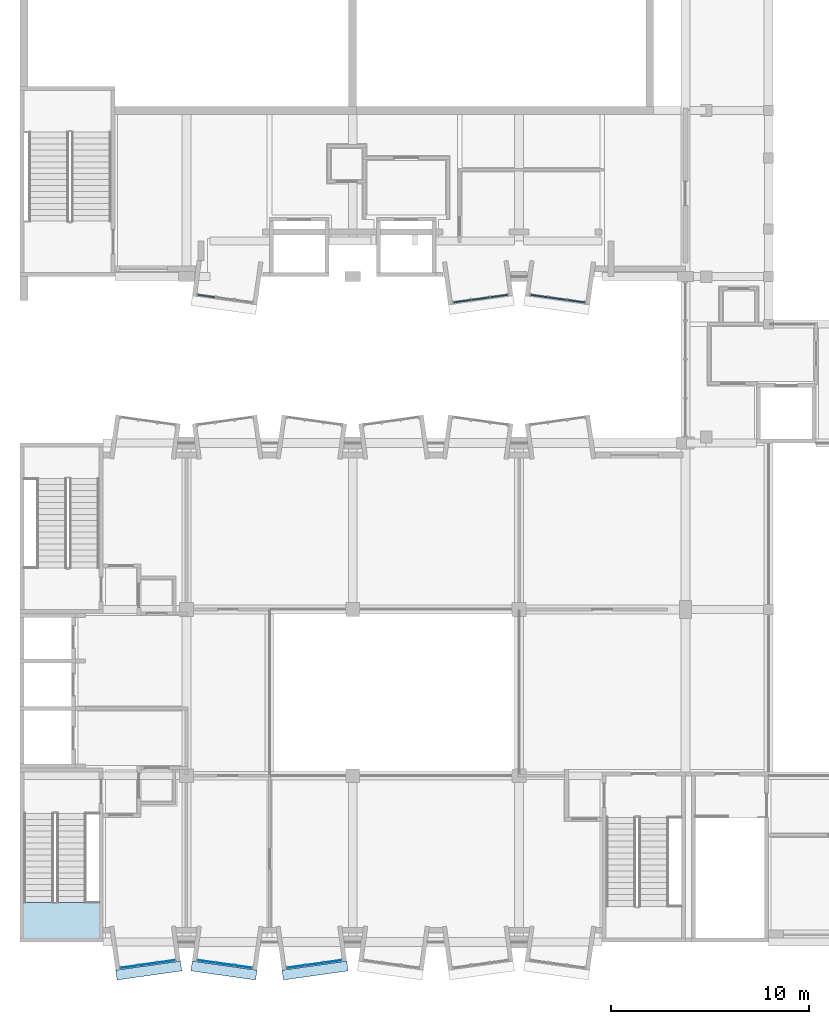
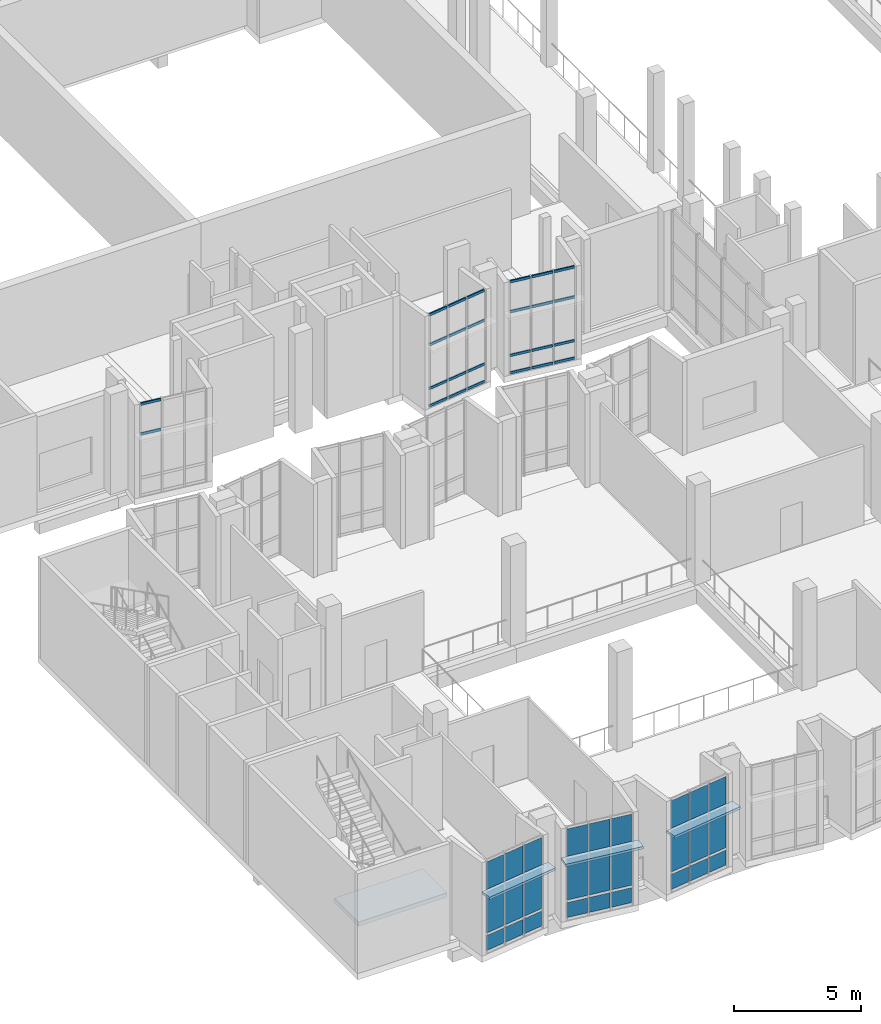
# One storey, part 49 of 100: 30 plates, 26 members, 1 slab, 7 elements without a shape of their own.
"""IFC4 building model written with IfcOpenShell, lengths in metres."""

from ifc_helpers import new_model, si_unit, direction, frame, origin, origin_2d, place, context, subcontext, project, spatial, polyline, rectangle, outline, extrude, material, layer, layer_set, material_profile, profile_set, type_object, element, aggregate, save


model = new_model("IFC4")

# Units and contexts
model_context = context("Model", 3, precision=1e-05, world=origin(), true_north=direction((0.0, 1.0)))
body_context = subcontext(model_context, "Body", "Model", "MODEL_VIEW")
ifc_project = project(units=[si_unit("LENGTHUNIT", "METRE"), si_unit("AREAUNIT", "SQUARE_METRE"), si_unit("VOLUMEUNIT", "CUBIC_METRE"), si_unit("PLANEANGLEUNIT", "RADIAN"), si_unit("MASSUNIT", "GRAM", prefix="KILO")], contexts=[model_context])

# Site, building, storey
site_placement = place(None, origin())
site = spatial("IfcSite", under=ifc_project, at=site_placement, CompositionType="ELEMENT")
building_placement = place(site_placement, origin())
building = spatial("IfcBuilding", under=site, at=building_placement, Name="Kiln Court Media Centre", CompositionType="ELEMENT")
storey_placement = place(building_placement, frame((0.0, 0.0, 15.0)))
storey = spatial("IfcBuildingStorey", under=building, at=storey_placement, Name="L03", CompositionType="ELEMENT", Elevation=15.0)

# Curtain wall, members
ifc_material_1 = material(Name="Aluminium 6063-T6", Category="aluminium")
ifc_layer_1 = layer(ifc_material_1, 0.1201171875)
ifc_layer_set_1 = layer_set([ifc_layer_1], Name="Aluminium unitised bay curtain wall")
curtain_wall_type = type_object("IfcCurtainWallType", Name="Aluminium unitised bay curtain wall", PredefinedType="USERDEFINED", material=ifc_layer_set_1)
curtain_wall_1_placement = place(storey_placement, origin())
curtain_wall_1 = element("IfcCurtainWall", 1, at=curtain_wall_1_placement, inside=storey, type_object=curtain_wall_type, Name="BAY V4-S-L03-17 front", ObjectType="UNITISED CURTAIN WALL", PredefinedType="USERDEFINED")
ifc_material_2 = material(Name="Aluminium 6063-T6", Category="aluminium")
ifc_material_profile = material_profile(ifc_material_2, rectangle(XDim=0.06005859375, YDim=0.1201171875, at=origin_2d()), Name="Aluminium transom 60x120")
ifc_profile_set = profile_set([ifc_material_profile], Name="Aluminium 6063-T6")
member_type = type_object("IfcMemberType", Name="Aluminium transom 60x120", PredefinedType="USERDEFINED", material=ifc_profile_set)
member_1_placement = place(storey_placement, frame((8.982421875, 32.68212890625, 3.0), z_axis=(0.990273563383, -0.139133998951, 0.0), x_axis=(0.139133998951, 0.990273563383, 0.0)))
member_1 = element("IfcMember", 2, at=member_1_placement, type_object=member_type, Name="CW3-01 transom 1.3", ObjectType="TRANSOM", PredefinedType="USERDEFINED", context=body_context, shape_type="SweptSolid", body=[
    extrude(rectangle(XDim=0.06005859375, YDim=0.1201171875, at=origin_2d()), origin(), (0.0, 0.0, 1.0), 0.866943359375),
])
member_2_placement = place(storey_placement, frame((8.982421875, 32.68212890625, 4.43994140625), z_axis=(0.990273563383, -0.139133998951, 0.0), x_axis=(0.139133998951, 0.990273563383, 0.0)))
member_2 = element("IfcMember", 3, at=member_2_placement, type_object=member_type, Name="CW3-01 transom 1.4", ObjectType="TRANSOM", PredefinedType="USERDEFINED", context=body_context, shape_type="SweptSolid", body=[
    extrude(rectangle(XDim=0.06005859375, YDim=0.1201171875, at=origin_2d()), origin(), (0.0, 0.0, 1.0), 0.866943359375),
])
aggregate(curtain_wall_1, [member_1, member_2])

curtain_wall_2_placement = place(storey_placement, origin())
curtain_wall_2 = element("IfcCurtainWall", 4, at=curtain_wall_2_placement, inside=storey, type_object=curtain_wall_type, Name="BAY V4-S-L03-20 front", ObjectType="UNITISED CURTAIN WALL", PredefinedType="USERDEFINED")
member_3_placement = place(storey_placement, frame((21.894287109375, 32.299560546875, 0.06005859375), z_axis=(0.990268108888, 0.139172815303, 0.0), x_axis=(-0.139172815303, 0.990268108888, 0.0)))
member_3 = element("IfcMember", 5, at=member_3_placement, type_object=member_type, Name="CW3-02 transom 1.1", ObjectType="TRANSOM", PredefinedType="USERDEFINED", context=body_context, shape_type="SweptSolid", body=[
    extrude(rectangle(XDim=0.06005859375, YDim=0.1201171875, at=origin_2d()), origin(), (0.0, 0.0, 1.0), 0.86669921875),
])
member_4_placement = place(storey_placement, frame((21.894287109375, 32.299560546875, 0.89990234375), z_axis=(0.990268108888, 0.139172815303, 0.0), x_axis=(-0.139172815303, 0.990268108888, 0.0)))
member_4 = element("IfcMember", 6, at=member_4_placement, type_object=member_type, Name="CW3-02 transom 1.2", ObjectType="TRANSOM", PredefinedType="USERDEFINED", context=body_context, shape_type="SweptSolid", body=[
    extrude(rectangle(XDim=0.06005859375, YDim=0.1201171875, at=origin_2d()), origin(), (0.0, 0.0, 1.0), 0.86669921875),
])
member_5_placement = place(storey_placement, frame((21.894287109375, 32.299560546875, 3.0), z_axis=(0.990268108888, 0.139172815303, 0.0), x_axis=(-0.139172815303, 0.990268108888, 0.0)))
member_5 = element("IfcMember", 7, at=member_5_placement, type_object=member_type, Name="CW3-02 transom 1.3", ObjectType="TRANSOM", PredefinedType="USERDEFINED", context=body_context, shape_type="SweptSolid", body=[
    extrude(rectangle(XDim=0.06005859375, YDim=0.1201171875, at=origin_2d()), origin(), (0.0, 0.0, 1.0), 0.86669921875),
])
member_6_placement = place(storey_placement, frame((21.894287109375, 32.299560546875, 4.43994140625), z_axis=(0.990268108888, 0.139172815303, 0.0), x_axis=(-0.139172815303, 0.990268108888, 0.0)))
member_6 = element("IfcMember", 8, at=member_6_placement, type_object=member_type, Name="CW3-02 transom 1.4", ObjectType="TRANSOM", PredefinedType="USERDEFINED", context=body_context, shape_type="SweptSolid", body=[
    extrude(rectangle(XDim=0.06005859375, YDim=0.1201171875, at=origin_2d()), origin(), (0.0, 0.0, 1.0), 0.86669921875),
])
member_7_placement = place(storey_placement, frame((22.811767578125, 32.428466796875, 0.06005859375), z_axis=(0.990273584723, 0.13913384707, 0.0), x_axis=(-0.13913384707, 0.990273584723, 0.0)))
member_7 = element("IfcMember", 9, at=member_7_placement, type_object=member_type, Name="CW3-02 transom 2.1", ObjectType="TRANSOM", PredefinedType="USERDEFINED", context=body_context, shape_type="SweptSolid", body=[
    extrude(rectangle(XDim=0.06005859375, YDim=0.1201171875, at=origin_2d()), origin(), (0.0, 0.0, 1.0), 0.896728515625),
])
member_8_placement = place(storey_placement, frame((22.811767578125, 32.428466796875, 0.89990234375), z_axis=(0.990273584723, 0.13913384707, 0.0), x_axis=(-0.13913384707, 0.990273584723, 0.0)))
member_8 = element("IfcMember", 10, at=member_8_placement, type_object=member_type, Name="CW3-02 transom 2.2", ObjectType="TRANSOM", PredefinedType="USERDEFINED", context=body_context, shape_type="SweptSolid", body=[
    extrude(rectangle(XDim=0.06005859375, YDim=0.1201171875, at=origin_2d()), origin(), (0.0, 0.0, 1.0), 0.896728515625),
])
member_9_placement = place(storey_placement, frame((22.811767578125, 32.428466796875, 3.0), z_axis=(0.990273584723, 0.13913384707, 0.0), x_axis=(-0.13913384707, 0.990273584723, 0.0)))
member_9 = element("IfcMember", 11, at=member_9_placement, type_object=member_type, Name="CW3-02 transom 2.3", ObjectType="TRANSOM", PredefinedType="USERDEFINED", context=body_context, shape_type="SweptSolid", body=[
    extrude(rectangle(XDim=0.06005859375, YDim=0.1201171875, at=origin_2d()), origin(), (0.0, 0.0, 1.0), 0.896728515625),
])
member_10_placement = place(storey_placement, frame((22.811767578125, 32.428466796875, 4.43994140625), z_axis=(0.990273584723, 0.13913384707, 0.0), x_axis=(-0.13913384707, 0.990273584723, 0.0)))
member_10 = element("IfcMember", 12, at=member_10_placement, type_object=member_type, Name="CW3-02 transom 2.4", ObjectType="TRANSOM", PredefinedType="USERDEFINED", context=body_context, shape_type="SweptSolid", body=[
    extrude(rectangle(XDim=0.06005859375, YDim=0.1201171875, at=origin_2d()), origin(), (0.0, 0.0, 1.0), 0.896728515625),
])
member_11_placement = place(storey_placement, frame((23.75927734375, 32.5615234375, 0.06005859375), z_axis=(0.990268108888, 0.139172815303, 0.0), x_axis=(-0.139172815303, 0.990268108888, 0.0)))
member_11 = element("IfcMember", 13, at=member_11_placement, type_object=member_type, Name="CW3-02 transom 3.1", ObjectType="TRANSOM", PredefinedType="USERDEFINED", context=body_context, shape_type="SweptSolid", body=[
    extrude(rectangle(XDim=0.06005859375, YDim=0.1201171875, at=origin_2d()), origin(), (0.0, 0.0, 1.0), 0.86669921875),
])
member_12_placement = place(storey_placement, frame((23.75927734375, 32.5615234375, 0.89990234375), z_axis=(0.990268108888, 0.139172815303, 0.0), x_axis=(-0.139172815303, 0.990268108888, 0.0)))
member_12 = element("IfcMember", 14, at=member_12_placement, type_object=member_type, Name="CW3-02 transom 3.2", ObjectType="TRANSOM", PredefinedType="USERDEFINED", context=body_context, shape_type="SweptSolid", body=[
    extrude(rectangle(XDim=0.06005859375, YDim=0.1201171875, at=origin_2d()), origin(), (0.0, 0.0, 1.0), 0.86669921875),
])
member_13_placement = place(storey_placement, frame((23.75927734375, 32.5615234375, 3.0), z_axis=(0.990268108888, 0.139172815303, 0.0), x_axis=(-0.139172815303, 0.990268108888, 0.0)))
member_13 = element("IfcMember", 15, at=member_13_placement, type_object=member_type, Name="CW3-02 transom 3.3", ObjectType="TRANSOM", PredefinedType="USERDEFINED", context=body_context, shape_type="SweptSolid", body=[
    extrude(rectangle(XDim=0.06005859375, YDim=0.1201171875, at=origin_2d()), origin(), (0.0, 0.0, 1.0), 0.86669921875),
])
member_14_placement = place(storey_placement, frame((23.75927734375, 32.5615234375, 4.43994140625), z_axis=(0.990268108888, 0.139172815303, 0.0), x_axis=(-0.139172815303, 0.990268108888, 0.0)))
member_14 = element("IfcMember", 16, at=member_14_placement, type_object=member_type, Name="CW3-02 transom 3.4", ObjectType="TRANSOM", PredefinedType="USERDEFINED", context=body_context, shape_type="SweptSolid", body=[
    extrude(rectangle(XDim=0.06005859375, YDim=0.1201171875, at=origin_2d()), origin(), (0.0, 0.0, 1.0), 0.86669921875),
])
aggregate(curtain_wall_2, [member_3, member_4, member_5, member_6, member_7, member_8, member_9, member_10, member_11, member_12, member_13, member_14])

curtain_wall_3_placement = place(storey_placement, origin())
curtain_wall_3 = element("IfcCurtainWall", 17, at=curtain_wall_3_placement, inside=storey, type_object=curtain_wall_type, Name="BAY V4-S-L03-21 front", ObjectType="UNITISED CURTAIN WALL", PredefinedType="USERDEFINED")
member_15_placement = place(storey_placement, frame((25.782470703125, 32.68212890625, 0.06005859375), z_axis=(0.990273563383, -0.139133998951, 0.0), x_axis=(0.139133998951, 0.990273563383, 0.0)))
member_15 = element("IfcMember", 18, at=member_15_placement, type_object=member_type, Name="CW3-03 transom 1.1", ObjectType="TRANSOM", PredefinedType="USERDEFINED", context=body_context, shape_type="SweptSolid", body=[
    extrude(rectangle(XDim=0.06005859375, YDim=0.1201171875, at=origin_2d()), origin(), (0.0, 0.0, 1.0), 0.866943359375),
])
member_16_placement = place(storey_placement, frame((25.782470703125, 32.68212890625, 0.89990234375), z_axis=(0.990273563383, -0.139133998951, 0.0), x_axis=(0.139133998951, 0.990273563383, 0.0)))
member_16 = element("IfcMember", 19, at=member_16_placement, type_object=member_type, Name="CW3-03 transom 1.2", ObjectType="TRANSOM", PredefinedType="USERDEFINED", context=body_context, shape_type="SweptSolid", body=[
    extrude(rectangle(XDim=0.06005859375, YDim=0.1201171875, at=origin_2d()), origin(), (0.0, 0.0, 1.0), 0.866943359375),
])
member_17_placement = place(storey_placement, frame((25.782470703125, 32.68212890625, 3.0), z_axis=(0.990273563383, -0.139133998951, 0.0), x_axis=(0.139133998951, 0.990273563383, 0.0)))
member_17 = element("IfcMember", 20, at=member_17_placement, type_object=member_type, Name="CW3-03 transom 1.3", ObjectType="TRANSOM", PredefinedType="USERDEFINED", context=body_context, shape_type="SweptSolid", body=[
    extrude(rectangle(XDim=0.06005859375, YDim=0.1201171875, at=origin_2d()), origin(), (0.0, 0.0, 1.0), 0.866943359375),
])
member_18_placement = place(storey_placement, frame((25.782470703125, 32.68212890625, 4.43994140625), z_axis=(0.990273563383, -0.139133998951, 0.0), x_axis=(0.139133998951, 0.990273563383, 0.0)))
member_18 = element("IfcMember", 21, at=member_18_placement, type_object=member_type, Name="CW3-03 transom 1.4", ObjectType="TRANSOM", PredefinedType="USERDEFINED", context=body_context, shape_type="SweptSolid", body=[
    extrude(rectangle(XDim=0.06005859375, YDim=0.1201171875, at=origin_2d()), origin(), (0.0, 0.0, 1.0), 0.866943359375),
])
member_19_placement = place(storey_placement, frame((26.7001953125, 32.55322265625, 0.06005859375), z_axis=(0.990273584723, -0.13913384707, 0.0), x_axis=(0.13913384707, 0.990273584723, 0.0)))
member_19 = element("IfcMember", 22, at=member_19_placement, type_object=member_type, Name="CW3-03 transom 2.1", ObjectType="TRANSOM", PredefinedType="USERDEFINED", context=body_context, shape_type="SweptSolid", body=[
    extrude(rectangle(XDim=0.06005859375, YDim=0.1201171875, at=origin_2d()), origin(), (0.0, 0.0, 1.0), 0.896728515625),
])
member_20_placement = place(storey_placement, frame((26.7001953125, 32.55322265625, 0.89990234375), z_axis=(0.990273584723, -0.13913384707, 0.0), x_axis=(0.13913384707, 0.990273584723, 0.0)))
member_20 = element("IfcMember", 23, at=member_20_placement, type_object=member_type, Name="CW3-03 transom 2.2", ObjectType="TRANSOM", PredefinedType="USERDEFINED", context=body_context, shape_type="SweptSolid", body=[
    extrude(rectangle(XDim=0.06005859375, YDim=0.1201171875, at=origin_2d()), origin(), (0.0, 0.0, 1.0), 0.896728515625),
])
member_21_placement = place(storey_placement, frame((26.7001953125, 32.55322265625, 3.0), z_axis=(0.990273584723, -0.13913384707, 0.0), x_axis=(0.13913384707, 0.990273584723, 0.0)))
member_21 = element("IfcMember", 24, at=member_21_placement, type_object=member_type, Name="CW3-03 transom 2.3", ObjectType="TRANSOM", PredefinedType="USERDEFINED", context=body_context, shape_type="SweptSolid", body=[
    extrude(rectangle(XDim=0.06005859375, YDim=0.1201171875, at=origin_2d()), origin(), (0.0, 0.0, 1.0), 0.896728515625),
])
member_22_placement = place(storey_placement, frame((26.7001953125, 32.55322265625, 4.43994140625), z_axis=(0.990273584723, -0.13913384707, 0.0), x_axis=(0.13913384707, 0.990273584723, 0.0)))
member_22 = element("IfcMember", 25, at=member_22_placement, type_object=member_type, Name="CW3-03 transom 2.4", ObjectType="TRANSOM", PredefinedType="USERDEFINED", context=body_context, shape_type="SweptSolid", body=[
    extrude(rectangle(XDim=0.06005859375, YDim=0.1201171875, at=origin_2d()), origin(), (0.0, 0.0, 1.0), 0.896728515625),
])
member_23_placement = place(storey_placement, frame((27.6474609375, 32.420166015625, 0.06005859375), z_axis=(0.990273563383, -0.139133998951, 0.0), x_axis=(0.139133998951, 0.990273563383, 0.0)))
member_23 = element("IfcMember", 26, at=member_23_placement, type_object=member_type, Name="CW3-03 transom 3.1", ObjectType="TRANSOM", PredefinedType="USERDEFINED", context=body_context, shape_type="SweptSolid", body=[
    extrude(rectangle(XDim=0.06005859375, YDim=0.1201171875, at=origin_2d()), origin(), (0.0, 0.0, 1.0), 0.866943359375),
])
member_24_placement = place(storey_placement, frame((27.6474609375, 32.420166015625, 0.89990234375), z_axis=(0.990273563383, -0.139133998951, 0.0), x_axis=(0.139133998951, 0.990273563383, 0.0)))
member_24 = element("IfcMember", 27, at=member_24_placement, type_object=member_type, Name="CW3-03 transom 3.2", ObjectType="TRANSOM", PredefinedType="USERDEFINED", context=body_context, shape_type="SweptSolid", body=[
    extrude(rectangle(XDim=0.06005859375, YDim=0.1201171875, at=origin_2d()), origin(), (0.0, 0.0, 1.0), 0.866943359375),
])
member_25_placement = place(storey_placement, frame((27.6474609375, 32.420166015625, 3.0), z_axis=(0.990273563383, -0.139133998951, 0.0), x_axis=(0.139133998951, 0.990273563383, 0.0)))
member_25 = element("IfcMember", 28, at=member_25_placement, type_object=member_type, Name="CW3-03 transom 3.3", ObjectType="TRANSOM", PredefinedType="USERDEFINED", context=body_context, shape_type="SweptSolid", body=[
    extrude(rectangle(XDim=0.06005859375, YDim=0.1201171875, at=origin_2d()), origin(), (0.0, 0.0, 1.0), 0.866943359375),
])
member_26_placement = place(storey_placement, frame((27.6474609375, 32.420166015625, 4.43994140625), z_axis=(0.990273563383, -0.139133998951, 0.0), x_axis=(0.139133998951, 0.990273563383, 0.0)))
member_26 = element("IfcMember", 29, at=member_26_placement, type_object=member_type, Name="CW3-03 transom 3.4", ObjectType="TRANSOM", PredefinedType="USERDEFINED", context=body_context, shape_type="SweptSolid", body=[
    extrude(rectangle(XDim=0.06005859375, YDim=0.1201171875, at=origin_2d()), origin(), (0.0, 0.0, 1.0), 0.866943359375),
])
aggregate(curtain_wall_3, [member_15, member_16, member_17, member_18, member_19, member_20, member_21, member_22, member_23, member_24, member_25, member_26])

# Plates
ifc_material_3 = material(Name="Concrete C30/37", Category="concrete")
ifc_layer_2 = layer(ifc_material_3, 0.1201171875)
ifc_layer_set_2 = layer_set([ifc_layer_2], Name="Concrete C30/37 sunshade hood 120")
plate_type_1 = type_object("IfcPlateType", Name="Concrete C30/37 sunshade hood 120", PredefinedType="USERDEFINED", material=ifc_layer_set_2)
plate_1_placement = place(storey_placement, frame((0.0, 0.0, 3.0)))
element("IfcPlate", 30, at=plate_1_placement, inside=storey, type_object=plate_type_1, Name="SUNSHADE V6A-S-L03-17", ObjectType="SUNSHADE", PredefinedType="USERDEFINED", context=body_context, shape_type="SweptSolid", body=[
    extrude(outline(polyline([(4.8330078125, -1.41796875), (8.10107421875, -0.958740234375), (8.17041015625, -1.453857421875), (4.902587890625, -1.9130859375), (4.8330078125, -1.41796875)])), origin(), (0.0, 0.0, 1.0), 0.1201171875),
])
plate_2_placement = place(storey_placement, frame((0.0, 0.0, 3.0)))
element("IfcPlate", 31, at=plate_2_placement, inside=storey, type_object=plate_type_1, Name="SUNSHADE V6A-S-L03-18", ObjectType="SUNSHADE", PredefinedType="USERDEFINED", context=body_context, shape_type="SweptSolid", body=[
    extrude(outline(polyline([(8.698974609375, -0.958740234375), (11.966796875, -1.41796875), (11.897216796875, -1.9130859375), (8.62939453125, -1.453857421875), (8.698974609375, -0.958740234375)])), origin(), (0.0, 0.0, 1.0), 0.1201171875),
])
plate_3_placement = place(storey_placement, frame((0.0, 0.0, 3.0)))
element("IfcPlate", 32, at=plate_3_placement, inside=storey, type_object=plate_type_1, Name="SUNSHADE V6A-S-L03-19", ObjectType="SUNSHADE", PredefinedType="USERDEFINED", context=body_context, shape_type="SweptSolid", body=[
    extrude(outline(polyline([(13.233154296875, -1.41796875), (16.5009765625, -0.958740234375), (16.570556640625, -1.453857421875), (13.302734375, -1.9130859375), (13.233154296875, -1.41796875)])), origin(), (0.0, 0.0, 1.0), 0.1201171875),
])

# Stair, slab
ifc_material_4 = material(Name="Concrete C40/50", Category="concrete")
stair_type = type_object("IfcStairType", Name="Concrete C40/50 dog-leg stair 1500 wide, 150 riser", PredefinedType="HALF_TURN_STAIR", material=ifc_material_4)
stair_placement = place(storey_placement, origin())
stair = element("IfcStair", 33, at=stair_placement, inside=storey, type_object=stair_type, Name="ST-01 L03", PredefinedType="HALF_TURN_STAIR")
ifc_material_5 = material(Name="Concrete C40/50", Category="concrete")
ifc_layer_3 = layer(ifc_material_5, 0.199951171875)
ifc_layer_set_3 = layer_set([ifc_layer_3], Name="Concrete C40/50 stair landing 200")
slab_type = type_object("IfcSlabType", Name="Concrete C40/50 stair landing 200", PredefinedType="LANDING", material=ifc_layer_set_3)
slab_placement = place(storey_placement, frame((0.0, 0.0, 2.199951171875)))
slab = element("IfcSlab", 34, at=slab_placement, type_object=slab_type, Name="L03-ST-5000 landing 5000", PredefinedType="LANDING", context=body_context, shape_type="SweptSolid", body=[
    extrude(outline(polyline([(0.080078125, 2.0), (0.080078125, 0.080078125), (4.1201171875, 0.080078125), (4.1201171875, 2.0), (0.080078125, 2.0)])), origin(), (0.0, 0.0, 1.0), 0.199951171875),
])
aggregate(stair, [slab])

# Curtain wall, plates
curtain_wall_4_placement = place(storey_placement, origin())
curtain_wall_4 = element("IfcCurtainWall", 35, at=curtain_wall_4_placement, inside=storey, type_object=curtain_wall_type, Name="BAY V6A-S-L03-17 front", ObjectType="UNITISED CURTAIN WALL", PredefinedType="USERDEFINED")
ifc_material_6 = material(Name="Aluminium insulated spandrel", Category="aluminium")
ifc_layer_4 = layer(ifc_material_6, 0.028076171875)
ifc_layer_set_4 = layer_set([ifc_layer_4], Name="Insulated spandrel panel 28")
plate_type_2 = type_object("IfcPlateType", Name="Insulated spandrel panel 28", PredefinedType="CURTAIN_PANEL", material=ifc_layer_set_4)
plate_4_placement = place(storey_placement, frame((5.5234375, -1.240234375, 0.1201171875), z_axis=(0.0, 0.0, 1.0), x_axis=(0.990269562409, 0.139162472554, 0.0)))
plate_4 = element("IfcPlate", 36, at=plate_4_placement, type_object=plate_type_2, Name="CW3-10 panel 1.1", PredefinedType="CURTAIN_PANEL", context=body_context, shape_type="SweptSolid", body=[
    extrude(rectangle(XDim=0.86669921875, YDim=0.028076171875, at=origin_2d()), origin(), (0.0, 0.0, 1.0), 0.719970703125),
])
plate_5_placement = place(storey_placement, frame((6.455810546875, -1.109130859375, 0.1201171875), z_axis=(0.0, 0.0, 1.0), x_axis=(0.990269562409, 0.139162472554, 0.0)))
plate_5 = element("IfcPlate", 37, at=plate_5_placement, type_object=plate_type_2, Name="CW3-10 panel 2.1", PredefinedType="CURTAIN_PANEL", context=body_context, shape_type="SweptSolid", body=[
    extrude(rectangle(XDim=0.896728515625, YDim=0.028076171875, at=origin_2d()), origin(), (0.0, 0.0, 1.0), 0.719970703125),
])
plate_6_placement = place(storey_placement, frame((7.388427734375, -0.97802734375, 0.1201171875), z_axis=(0.0, 0.0, 1.0), x_axis=(0.990269562409, 0.139162472554, 0.0)))
plate_6 = element("IfcPlate", 38, at=plate_6_placement, type_object=plate_type_2, Name="CW3-10 panel 3.1", PredefinedType="CURTAIN_PANEL", context=body_context, shape_type="SweptSolid", body=[
    extrude(rectangle(XDim=0.86669921875, YDim=0.028076171875, at=origin_2d()), origin(), (0.0, 0.0, 1.0), 0.719970703125),
])

curtain_wall_5_placement = place(storey_placement, origin())
curtain_wall_5 = element("IfcCurtainWall", 39, at=curtain_wall_5_placement, inside=storey, type_object=curtain_wall_type, Name="BAY V6A-S-L03-18 front", ObjectType="UNITISED CURTAIN WALL", PredefinedType="USERDEFINED")
plate_7_placement = place(storey_placement, frame((9.41162109375, -0.97802734375, 0.1201171875), z_axis=(0.0, 0.0, 1.0), x_axis=(0.990269562409, -0.139162472554, 0.0)))
plate_7 = element("IfcPlate", 40, at=plate_7_placement, type_object=plate_type_2, Name="CW3-11 panel 1.1", PredefinedType="CURTAIN_PANEL", context=body_context, shape_type="SweptSolid", body=[
    extrude(rectangle(XDim=0.86669921875, YDim=0.028076171875, at=origin_2d()), origin(), (0.0, 0.0, 1.0), 0.719970703125),
])
plate_8_placement = place(storey_placement, frame((10.34423828125, -1.109130859375, 0.1201171875), z_axis=(0.0, 0.0, 1.0), x_axis=(0.990269562409, -0.139162472554, 0.0)))
plate_8 = element("IfcPlate", 41, at=plate_8_placement, type_object=plate_type_2, Name="CW3-11 panel 2.1", PredefinedType="CURTAIN_PANEL", context=body_context, shape_type="SweptSolid", body=[
    extrude(rectangle(XDim=0.896728515625, YDim=0.028076171875, at=origin_2d()), origin(), (0.0, 0.0, 1.0), 0.719970703125),
])
plate_9_placement = place(storey_placement, frame((11.276611328125, -1.240234375, 0.1201171875), z_axis=(0.0, 0.0, 1.0), x_axis=(0.990269562409, -0.139162472554, 0.0)))
plate_9 = element("IfcPlate", 42, at=plate_9_placement, type_object=plate_type_2, Name="CW3-11 panel 3.1", PredefinedType="CURTAIN_PANEL", context=body_context, shape_type="SweptSolid", body=[
    extrude(rectangle(XDim=0.86669921875, YDim=0.028076171875, at=origin_2d()), origin(), (0.0, 0.0, 1.0), 0.719970703125),
])

curtain_wall_6_placement = place(storey_placement, origin())
curtain_wall_6 = element("IfcCurtainWall", 43, at=curtain_wall_6_placement, inside=storey, type_object=curtain_wall_type, Name="BAY V6A-S-L03-19 front", ObjectType="UNITISED CURTAIN WALL", PredefinedType="USERDEFINED")
plate_10_placement = place(storey_placement, frame((13.92333984375, -1.240234375, 0.1201171875), z_axis=(0.0, 0.0, 1.0), x_axis=(0.990269562409, 0.139162472554, 0.0)))
plate_10 = element("IfcPlate", 44, at=plate_10_placement, type_object=plate_type_2, Name="CW3-12 panel 1.1", PredefinedType="CURTAIN_PANEL", context=body_context, shape_type="SweptSolid", body=[
    extrude(rectangle(XDim=0.86669921875, YDim=0.028076171875, at=origin_2d()), origin(), (0.0, 0.0, 1.0), 0.719970703125),
])
plate_11_placement = place(storey_placement, frame((14.85595703125, -1.109130859375, 0.1201171875), z_axis=(0.0, 0.0, 1.0), x_axis=(0.990269562409, 0.139162472554, 0.0)))
plate_11 = element("IfcPlate", 45, at=plate_11_placement, type_object=plate_type_2, Name="CW3-12 panel 2.1", PredefinedType="CURTAIN_PANEL", context=body_context, shape_type="SweptSolid", body=[
    extrude(rectangle(XDim=0.896728515625, YDim=0.028076171875, at=origin_2d()), origin(), (0.0, 0.0, 1.0), 0.719970703125),
])
plate_12_placement = place(storey_placement, frame((15.788330078125, -0.97802734375, 0.1201171875), z_axis=(0.0, 0.0, 1.0), x_axis=(0.990269562409, 0.139162472554, 0.0)))
plate_12 = element("IfcPlate", 46, at=plate_12_placement, type_object=plate_type_2, Name="CW3-12 panel 3.1", PredefinedType="CURTAIN_PANEL", context=body_context, shape_type="SweptSolid", body=[
    extrude(rectangle(XDim=0.86669921875, YDim=0.028076171875, at=origin_2d()), origin(), (0.0, 0.0, 1.0), 0.719970703125),
])

# Plate
ifc_material_7 = material(Name="Low-E double glazing", Category="glass")
ifc_layer_5 = layer(ifc_material_7, 0.028076171875)
ifc_layer_set_5 = layer_set([ifc_layer_5], Name="Low-E double glazed panel 28")
plate_type_3 = type_object("IfcPlateType", Name="Low-E double glazed panel 28", PredefinedType="CURTAIN_PANEL", material=ifc_layer_set_5)
plate_13_placement = place(storey_placement, frame((5.5234375, -1.240234375, 0.9599609375), z_axis=(0.0, 0.0, 1.0), x_axis=(0.990269562409, 0.139162472554, 0.0)))
plate_13 = element("IfcPlate", 47, at=plate_13_placement, type_object=plate_type_3, Name="CW3-10 panel 1.2", PredefinedType="CURTAIN_PANEL", context=body_context, shape_type="SweptSolid", body=[
    extrude(rectangle(XDim=0.86669921875, YDim=0.028076171875, at=origin_2d()), origin(), (0.0, 0.0, 1.0), 1.97998046875),
])

plate_14_placement = place(storey_placement, frame((5.5234375, -1.240234375, 3.06005859375), z_axis=(0.0, 0.0, 1.0), x_axis=(0.990269562409, 0.139162472554, 0.0)))
plate_14 = element("IfcPlate", 48, at=plate_14_placement, type_object=plate_type_3, Name="CW3-10 panel 1.3", PredefinedType="CURTAIN_PANEL", context=body_context, shape_type="SweptSolid", body=[
    extrude(rectangle(XDim=0.86669921875, YDim=0.028076171875, at=origin_2d()), origin(), (0.0, 0.0, 1.0), 1.320068359375),
])

plate_15_placement = place(storey_placement, frame((6.455810546875, -1.109130859375, 0.9599609375), z_axis=(0.0, 0.0, 1.0), x_axis=(0.990269562409, 0.139162472554, 0.0)))
plate_15 = element("IfcPlate", 49, at=plate_15_placement, type_object=plate_type_3, Name="CW3-10 panel 2.2", PredefinedType="CURTAIN_PANEL", context=body_context, shape_type="SweptSolid", body=[
    extrude(rectangle(XDim=0.896728515625, YDim=0.028076171875, at=origin_2d()), origin(), (0.0, 0.0, 1.0), 1.97998046875),
])

plate_16_placement = place(storey_placement, frame((6.455810546875, -1.109130859375, 3.06005859375), z_axis=(0.0, 0.0, 1.0), x_axis=(0.990269562409, 0.139162472554, 0.0)))
plate_16 = element("IfcPlate", 50, at=plate_16_placement, type_object=plate_type_3, Name="CW3-10 panel 2.3", PredefinedType="CURTAIN_PANEL", context=body_context, shape_type="SweptSolid", body=[
    extrude(rectangle(XDim=0.896728515625, YDim=0.028076171875, at=origin_2d()), origin(), (0.0, 0.0, 1.0), 1.320068359375),
])

plate_17_placement = place(storey_placement, frame((7.388427734375, -0.97802734375, 0.9599609375), z_axis=(0.0, 0.0, 1.0), x_axis=(0.990269562409, 0.139162472554, 0.0)))
plate_17 = element("IfcPlate", 51, at=plate_17_placement, type_object=plate_type_3, Name="CW3-10 panel 3.2", PredefinedType="CURTAIN_PANEL", context=body_context, shape_type="SweptSolid", body=[
    extrude(rectangle(XDim=0.86669921875, YDim=0.028076171875, at=origin_2d()), origin(), (0.0, 0.0, 1.0), 1.97998046875),
])

plate_18_placement = place(storey_placement, frame((7.388427734375, -0.97802734375, 3.06005859375), z_axis=(0.0, 0.0, 1.0), x_axis=(0.990269562409, 0.139162472554, 0.0)))
plate_18 = element("IfcPlate", 52, at=plate_18_placement, type_object=plate_type_3, Name="CW3-10 panel 3.3", PredefinedType="CURTAIN_PANEL", context=body_context, shape_type="SweptSolid", body=[
    extrude(rectangle(XDim=0.86669921875, YDim=0.028076171875, at=origin_2d()), origin(), (0.0, 0.0, 1.0), 1.320068359375),
])

aggregate(curtain_wall_4, [plate_4, plate_13, plate_14, plate_5, plate_15, plate_16, plate_6, plate_17, plate_18])

plate_19_placement = place(storey_placement, frame((9.41162109375, -0.97802734375, 0.9599609375), z_axis=(0.0, 0.0, 1.0), x_axis=(0.990269562409, -0.139162472554, 0.0)))
plate_19 = element("IfcPlate", 53, at=plate_19_placement, type_object=plate_type_3, Name="CW3-11 panel 1.2", PredefinedType="CURTAIN_PANEL", context=body_context, shape_type="SweptSolid", body=[
    extrude(rectangle(XDim=0.86669921875, YDim=0.028076171875, at=origin_2d()), origin(), (0.0, 0.0, 1.0), 1.97998046875),
])

plate_20_placement = place(storey_placement, frame((9.41162109375, -0.97802734375, 3.06005859375), z_axis=(0.0, 0.0, 1.0), x_axis=(0.990269562409, -0.139162472554, 0.0)))
plate_20 = element("IfcPlate", 54, at=plate_20_placement, type_object=plate_type_3, Name="CW3-11 panel 1.3", PredefinedType="CURTAIN_PANEL", context=body_context, shape_type="SweptSolid", body=[
    extrude(rectangle(XDim=0.86669921875, YDim=0.028076171875, at=origin_2d()), origin(), (0.0, 0.0, 1.0), 1.320068359375),
])

plate_21_placement = place(storey_placement, frame((10.34423828125, -1.109130859375, 0.9599609375), z_axis=(0.0, 0.0, 1.0), x_axis=(0.990269562409, -0.139162472554, 0.0)))
plate_21 = element("IfcPlate", 55, at=plate_21_placement, type_object=plate_type_3, Name="CW3-11 panel 2.2", PredefinedType="CURTAIN_PANEL", context=body_context, shape_type="SweptSolid", body=[
    extrude(rectangle(XDim=0.896728515625, YDim=0.028076171875, at=origin_2d()), origin(), (0.0, 0.0, 1.0), 1.97998046875),
])

plate_22_placement = place(storey_placement, frame((10.34423828125, -1.109130859375, 3.06005859375), z_axis=(0.0, 0.0, 1.0), x_axis=(0.990269562409, -0.139162472554, 0.0)))
plate_22 = element("IfcPlate", 56, at=plate_22_placement, type_object=plate_type_3, Name="CW3-11 panel 2.3", PredefinedType="CURTAIN_PANEL", context=body_context, shape_type="SweptSolid", body=[
    extrude(rectangle(XDim=0.896728515625, YDim=0.028076171875, at=origin_2d()), origin(), (0.0, 0.0, 1.0), 1.320068359375),
])

plate_23_placement = place(storey_placement, frame((11.276611328125, -1.240234375, 0.9599609375), z_axis=(0.0, 0.0, 1.0), x_axis=(0.990269562409, -0.139162472554, 0.0)))
plate_23 = element("IfcPlate", 57, at=plate_23_placement, type_object=plate_type_3, Name="CW3-11 panel 3.2", PredefinedType="CURTAIN_PANEL", context=body_context, shape_type="SweptSolid", body=[
    extrude(rectangle(XDim=0.86669921875, YDim=0.028076171875, at=origin_2d()), origin(), (0.0, 0.0, 1.0), 1.97998046875),
])

plate_24_placement = place(storey_placement, frame((11.276611328125, -1.240234375, 3.06005859375), z_axis=(0.0, 0.0, 1.0), x_axis=(0.990269562409, -0.139162472554, 0.0)))
plate_24 = element("IfcPlate", 58, at=plate_24_placement, type_object=plate_type_3, Name="CW3-11 panel 3.3", PredefinedType="CURTAIN_PANEL", context=body_context, shape_type="SweptSolid", body=[
    extrude(rectangle(XDim=0.86669921875, YDim=0.028076171875, at=origin_2d()), origin(), (0.0, 0.0, 1.0), 1.320068359375),
])

aggregate(curtain_wall_5, [plate_7, plate_19, plate_20, plate_8, plate_21, plate_22, plate_9, plate_23, plate_24])

plate_25_placement = place(storey_placement, frame((13.92333984375, -1.240234375, 0.9599609375), z_axis=(0.0, 0.0, 1.0), x_axis=(0.990269562409, 0.139162472554, 0.0)))
plate_25 = element("IfcPlate", 59, at=plate_25_placement, type_object=plate_type_3, Name="CW3-12 panel 1.2", PredefinedType="CURTAIN_PANEL", context=body_context, shape_type="SweptSolid", body=[
    extrude(rectangle(XDim=0.86669921875, YDim=0.028076171875, at=origin_2d()), origin(), (0.0, 0.0, 1.0), 1.97998046875),
])

plate_26_placement = place(storey_placement, frame((13.92333984375, -1.240234375, 3.06005859375), z_axis=(0.0, 0.0, 1.0), x_axis=(0.990269562409, 0.139162472554, 0.0)))
plate_26 = element("IfcPlate", 60, at=plate_26_placement, type_object=plate_type_3, Name="CW3-12 panel 1.3", PredefinedType="CURTAIN_PANEL", context=body_context, shape_type="SweptSolid", body=[
    extrude(rectangle(XDim=0.86669921875, YDim=0.028076171875, at=origin_2d()), origin(), (0.0, 0.0, 1.0), 1.320068359375),
])

plate_27_placement = place(storey_placement, frame((14.85595703125, -1.109130859375, 0.9599609375), z_axis=(0.0, 0.0, 1.0), x_axis=(0.990269562409, 0.139162472554, 0.0)))
plate_27 = element("IfcPlate", 61, at=plate_27_placement, type_object=plate_type_3, Name="CW3-12 panel 2.2", PredefinedType="CURTAIN_PANEL", context=body_context, shape_type="SweptSolid", body=[
    extrude(rectangle(XDim=0.896728515625, YDim=0.028076171875, at=origin_2d()), origin(), (0.0, 0.0, 1.0), 1.97998046875),
])

plate_28_placement = place(storey_placement, frame((14.85595703125, -1.109130859375, 3.06005859375), z_axis=(0.0, 0.0, 1.0), x_axis=(0.990269562409, 0.139162472554, 0.0)))
plate_28 = element("IfcPlate", 62, at=plate_28_placement, type_object=plate_type_3, Name="CW3-12 panel 2.3", PredefinedType="CURTAIN_PANEL", context=body_context, shape_type="SweptSolid", body=[
    extrude(rectangle(XDim=0.896728515625, YDim=0.028076171875, at=origin_2d()), origin(), (0.0, 0.0, 1.0), 1.320068359375),
])

plate_29_placement = place(storey_placement, frame((15.788330078125, -0.97802734375, 0.9599609375), z_axis=(0.0, 0.0, 1.0), x_axis=(0.990269562409, 0.139162472554, 0.0)))
plate_29 = element("IfcPlate", 63, at=plate_29_placement, type_object=plate_type_3, Name="CW3-12 panel 3.2", PredefinedType="CURTAIN_PANEL", context=body_context, shape_type="SweptSolid", body=[
    extrude(rectangle(XDim=0.86669921875, YDim=0.028076171875, at=origin_2d()), origin(), (0.0, 0.0, 1.0), 1.97998046875),
])

plate_30_placement = place(storey_placement, frame((15.788330078125, -0.97802734375, 3.06005859375), z_axis=(0.0, 0.0, 1.0), x_axis=(0.990269562409, 0.139162472554, 0.0)))
plate_30 = element("IfcPlate", 64, at=plate_30_placement, type_object=plate_type_3, Name="CW3-12 panel 3.3", PredefinedType="CURTAIN_PANEL", context=body_context, shape_type="SweptSolid", body=[
    extrude(rectangle(XDim=0.86669921875, YDim=0.028076171875, at=origin_2d()), origin(), (0.0, 0.0, 1.0), 1.320068359375),
])

aggregate(curtain_wall_6, [plate_10, plate_25, plate_26, plate_11, plate_27, plate_28, plate_12, plate_29, plate_30])

save(model, "model.ifc")
